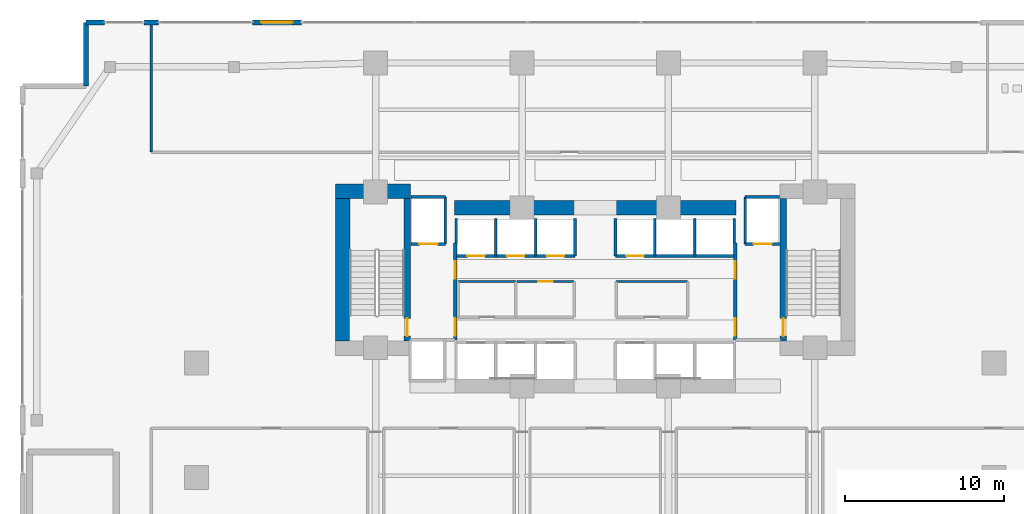
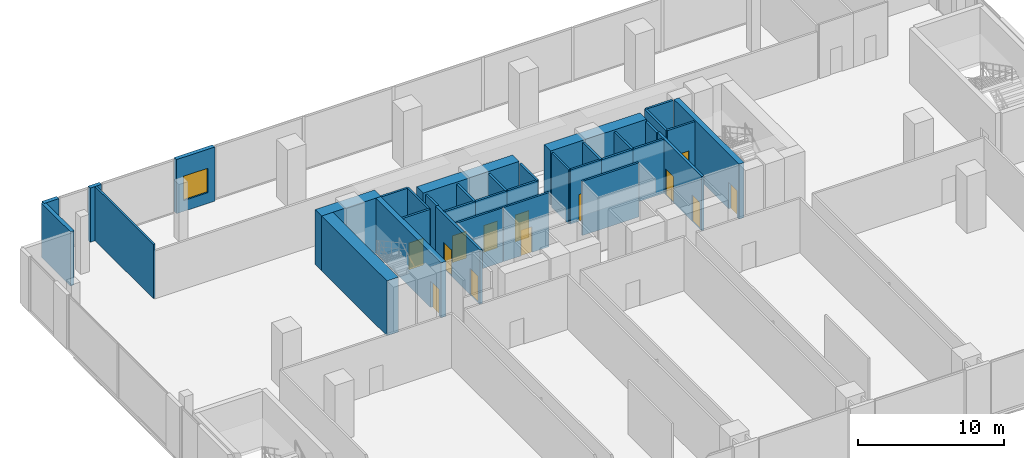
# One storey, part 27 of 33: 36 walls, 13 doors, 1 window, 14 openings.
"""IFC4 building model written with IfcOpenShell, lengths in metres."""

from ifc_helpers import new_model, si_unit, direction, frame, frame_2d, origin, place, context, subcontext, project, spatial, rectangle, extrude, material, layer, layer_set, type_object, element, fill, save


model = new_model("IFC4")

# Units and contexts
model_context = context("Model", 3, precision=1e-05, world=origin(), true_north=direction((0.0, 1.0)))
body_context = subcontext(model_context, "Body", "Model", "MODEL_VIEW")
ifc_project = project(units=[si_unit("LENGTHUNIT", "METRE"), si_unit("AREAUNIT", "SQUARE_METRE"), si_unit("VOLUMEUNIT", "CUBIC_METRE"), si_unit("PLANEANGLEUNIT", "RADIAN"), si_unit("MASSUNIT", "GRAM", prefix="KILO")], contexts=[model_context])

# Site, building, storey
site_placement = place(None, origin())
site = spatial("IfcSite", under=ifc_project, at=site_placement, CompositionType="ELEMENT")
building_placement = place(site_placement, origin())
building = spatial("IfcBuilding", under=site, at=building_placement, Name="Zuhayl Quay Hotel", CompositionType="ELEMENT")
storey_placement = place(building_placement, frame((0.0, 0.0, 18.0)))
storey = spatial("IfcBuildingStorey", under=building, at=storey_placement, Name="L03", CompositionType="ELEMENT", Elevation=18.0)

# Walls
ifc_material_1 = material(Name="Concrete C70/85", Category="concrete")
ifc_layer_1 = layer(ifc_material_1, 0.89990234375, Name="Concrete C70/85", Category="concrete")
ifc_layer_set_1 = layer_set([ifc_layer_1], Name="Concrete C70/85")
wall_type_1 = type_object("IfcWallType", Name="WL_CORE_900", PredefinedType="SHEAR", material=ifc_layer_set_1)
wall_1_placement = place(storey_placement, frame((-16.31005859375, 14.3798828125, 0.0), z_axis=(0.0, 0.0, 1.0), x_axis=(1.0, 0.0, 0.0)))
element("IfcWall", 1, at=wall_1_placement, inside=storey, type_object=wall_type_1, Name="L03 Core Shear Wall CW_NW", PredefinedType="SHEAR", context=body_context, shape_type="SweptSolid", body=[
    extrude(rectangle(XDim=4.7099609375, YDim=0.89990234375, at=frame_2d((2.35498046875, 0.0))), origin(), (0.0, 0.0, 1.0), 4.610107421875),
])
wall_2_placement = place(storey_placement, frame((-15.860107421875, 4.969970703125, 0.0), z_axis=(0.0, 0.0, 1.0), x_axis=(0.0, 1.0, 0.0)))
element("IfcWall", 2, at=wall_2_placement, inside=storey, type_object=wall_type_1, Name="L03 Core Shear Wall CW_W", PredefinedType="SHEAR", context=body_context, shape_type="SweptSolid", body=[
    extrude(rectangle(XDim=8.9599609375, YDim=0.89990234375, at=frame_2d((4.47998046875, 0.0))), origin(), (0.0, 0.0, 1.0), 4.610107421875),
])
for number, where, z_axis, x_axis, name in (
    (3, (-8.85009765625, 13.35009765625, 0.0), (0.0, 0.0, 1.0), (1.0, 0.0, 0.0), "L03 Core Shear Wall CW_NC_W"),
    (4, (1.25, 13.35009765625, 0.0), (0.0, 0.0, 1.0), (1.0, 0.0, 0.0), "L03 Core Shear Wall CW_NC_E"),
):
    element("IfcWall", number, at=place(storey_placement, frame(where, z_axis=z_axis, x_axis=x_axis)), inside=storey, type_object=wall_type_1, Name=name, PredefinedType="SHEAR", context=body_context, shape_type="SweptSolid", body=[
        extrude(rectangle(XDim=7.60009765625, YDim=0.89990234375, at=frame_2d((3.800048828125, 0.0))), origin(), (0.0, 0.0, 1.0), 4.5400390625),
    ])
ifc_material_2 = material(Name="Precast concrete C45/55", Category="concrete")
ifc_layer_2 = layer(ifc_material_2, 0.300048828125, Name="Precast concrete C45/55", Category="concrete")
ifc_layer_set_2 = layer_set([ifc_layer_2], Name="Precast concrete C45/55")
wall_type_2 = type_object("IfcWallType", Name="WL_EXT_300", PredefinedType="STANDARD", material=ifc_layer_set_2)
wall_3_placement = place(storey_placement, frame((-32.0, 21.0, 0.0), z_axis=(0.0, 0.0, 1.0), x_axis=(0.0, 1.0, 0.0)))
element("IfcWall", 5, at=wall_3_placement, inside=storey, type_object=wall_type_2, Name="L03 Exterior Precast Wall ENV_L03_EW04", PredefinedType="STANDARD", context=body_context, shape_type="SweptSolid", body=[
    extrude(rectangle(XDim=4.0, YDim=0.300048828125, at=frame_2d((2.0, 0.0))), origin(), (0.0, 0.0, 1.0), 4.5400390625),
])
wall_4_placement = place(storey_placement, frame((-32.0, 25.0, 0.0), z_axis=(0.0, 0.0, 1.0), x_axis=(1.0, 0.0, 0.0)))
element("IfcWall", 6, at=wall_4_placement, inside=storey, type_object=wall_type_2, Name="L03 Exterior Precast Wall ENV_L03_E05_EW1", PredefinedType="STANDARD", context=body_context, shape_type="SweptSolid", body=[
    extrude(rectangle(XDim=1.14990234375, YDim=0.300048828125, at=frame_2d((0.574951171875, 0.0))), origin(), (0.0, 0.0, 1.0), 4.5400390625),
])
wall_5_placement = place(storey_placement, frame((-28.35009765625, 25.0, 0.0), z_axis=(0.0, 0.0, 1.0), x_axis=(1.0, 0.0, 0.0)))
element("IfcWall", 7, at=wall_5_placement, inside=storey, type_object=wall_type_2, Name="L03 Exterior Precast Wall ENV_L03_E05_EW2", PredefinedType="STANDARD", context=body_context, shape_type="SweptSolid", body=[
    extrude(rectangle(XDim=0.900146484375, YDim=0.300048828125, at=frame_2d((0.4501953125, 0.0))), origin(), (0.0, 0.0, 1.0), 4.5400390625),
])

# Wall, opening, window
wall_6_placement = place(storey_placement, frame((-21.52490234375, 25.0, 0.0), z_axis=(0.0, 0.0, 1.0), x_axis=(1.0, 0.0, 0.0)))
wall_6 = element("IfcWall", 8, at=wall_6_placement, inside=storey, type_object=wall_type_2, Name="L03 Exterior Precast Wall ENV_L03_E05_EW3", PredefinedType="STANDARD", context=body_context, shape_type="SweptSolid", body=[
    extrude(rectangle(XDim=3.0498046875, YDim=0.300048828125, at=frame_2d((1.52490234375, 0.0))), origin(), (0.0, 0.0, 1.0), 4.5400390625),
])
opening_1_placement = place(wall_6_placement, frame((0.550048828125, 0.0, 0.89990234375)))
opening_1 = element("IfcOpeningElement", 9, at=opening_1_placement, cuts=wall_6, Name="Opening W03", PredefinedType="OPENING", context=body_context, shape_type="SweptSolid", body=[
    extrude(rectangle(XDim=1.949951171875, YDim=2.050048828125, at=frame_2d((0.97509765625, 1.02490234375))), frame((0.0, 0.159912109375, 0.0), z_axis=(0.0, -1.0, 0.0), x_axis=(1.0, 0.0, 0.0)), (0.0, 0.0, 1.0), 0.320068359375),
])
ifc_material_3 = material(Name="Low-E Insulated Clear Vision Glass", Category="glass")
window_type = type_object("IfcWindowType", Name="WN_POD_1950", PartitioningType="DOUBLE_PANEL_VERTICAL", PredefinedType="WINDOW", material=ifc_material_3)
window_placement = place(opening_1_placement, origin())
window = element("IfcWindow", 10, at=window_placement, inside=storey, type_object=window_type, Name="L03 Seaward Salon Vision Window", OverallHeight=2.050048828125, OverallWidth=1.949951171875, PartitioningType="SINGLE_PANEL", PredefinedType="WINDOW", context=body_context, shape_type="SweptSolid", body=[
    extrude(rectangle(XDim=1.949951171875, YDim=2.050048828125, at=frame_2d((0.97509765625, 1.02490234375))), frame((0.0, 0.030029296875, 0.0), z_axis=(0.0, -1.0, 0.0), x_axis=(1.0, 0.0, 0.0)), (0.0, 0.0, 1.0), 0.06005859375),
])
fill(opening_1, window)

# Wall, opening, door
ifc_material_4 = material(Name="Acoustic Gypsum Partition STC-58")
ifc_layer_3 = layer(ifc_material_4, 0.14990234375, Name="Acoustic Gypsum Partition STC-58")
ifc_layer_set_3 = layer_set([ifc_layer_3], Name="Acoustic Gypsum Partition STC-58")
wall_type_3 = type_object("IfcWallType", Name="WL_PART_150", PredefinedType="PARTITIONING", material=ifc_layer_set_3)
wall_7_placement = place(storey_placement, frame((-4.929931640625, 8.719970703125, 0.0), z_axis=(0.0, 0.0, 1.0), x_axis=(1.0, 0.0, 0.0)))
wall_7 = element("IfcWall", 11, at=wall_7_placement, inside=storey, type_object=wall_type_3, Name="L03 Partition IW_L03_CORE_BM_N", PredefinedType="PARTITIONING", context=body_context, shape_type="SweptSolid", body=[
    extrude(rectangle(XDim=3.60986328125, YDim=0.14990234375, at=frame_2d((1.804931640625, 0.0))), origin(), (0.0, 0.0, 1.0), 4.5400390625),
])
opening_2_placement = place(wall_7_placement, frame((1.35498046875, 0.0, 0.0)))
opening_2 = element("IfcOpeningElement", 12, at=opening_2_placement, cuts=wall_7, Name="Opening D06", PredefinedType="OPENING", context=body_context, shape_type="SweptSolid", body=[
    extrude(rectangle(XDim=0.89990234375, YDim=2.14990234375, at=frame_2d((0.449951171875, 1.074951171875))), frame((0.0, 0.0849609375, 0.0), z_axis=(0.0, -1.0, 0.0), x_axis=(1.0, 0.0, 0.0)), (0.0, 0.0, 1.0), 0.169921875),
])
ifc_material_5 = material(Name="Steel ASTM A992 Grade 50", Category="steel")
door_type_1 = type_object("IfcDoorType", Name="DR_INT_900", OperationType="NOTDEFINED", PredefinedType="DOOR", material=ifc_material_5)
door_1_placement = place(opening_2_placement, origin())
door_1 = element("IfcDoor", 13, at=door_1_placement, inside=storey, type_object=door_type_1, Name="L03 Telecom and BMS Closet Door", OperationType="SINGLE_SWING_LEFT", OverallHeight=2.14990234375, OverallWidth=0.89990234375, PredefinedType="DOOR", context=body_context, shape_type="SweptSolid", body=[
    extrude(rectangle(XDim=0.89990234375, YDim=2.14990234375, at=frame_2d((0.449951171875, 1.074951171875))), frame((0.0, 0.02490234375, 0.0), z_axis=(0.0, -1.0, 0.0), x_axis=(1.0, 0.0, 0.0)), (0.0, 0.0, 1.0), 0.050048828125),
])
fill(opening_2, door_1)

# Walls
wall_8_placement = place(storey_placement, frame((-8.610107421875, 8.719970703125, 0.0), z_axis=(0.0, 0.0, 1.0), x_axis=(1.0, 0.0, 0.0)))
element("IfcWall", 14, at=wall_8_placement, inside=storey, type_object=wall_type_3, Name="L03 Partition IW_L03_CORE_SW_N", PredefinedType="PARTITIONING", context=body_context, shape_type="SweptSolid", body=[
    extrude(rectangle(XDim=3.6201171875, YDim=0.14990234375, at=frame_2d((1.81005859375, 0.0))), origin(), (0.0, 0.0, 1.0), 4.5400390625),
])
wall_9_placement = place(storey_placement, frame((1.320068359375, 8.719970703125, 0.0), z_axis=(0.0, 0.0, 1.0), x_axis=(1.0, 0.0, 0.0)))
element("IfcWall", 15, at=wall_9_placement, inside=storey, type_object=wall_type_3, Name="L03 Partition IW_L03_CORE_PN_N", PredefinedType="PARTITIONING", context=body_context, shape_type="SweptSolid", body=[
    extrude(rectangle(XDim=4.489990234375, YDim=0.14990234375, at=frame_2d((2.2451171875, 0.0))), origin(), (0.0, 0.0, 1.0), 4.5400390625),
])
wall_10_placement = place(storey_placement, frame((-27.89990234375, 16.85009765625, 0.0), z_axis=(0.0, 0.0, 1.0), x_axis=(0.0, 1.0, 0.0)))
element("IfcWall", 16, at=wall_10_placement, inside=storey, type_object=wall_type_3, Name="L03 Partition IW_L03_PRE_FUNC_N_W", PredefinedType="PARTITIONING", context=body_context, shape_type="SweptSolid", body=[
    extrude(rectangle(XDim=8.08984375, YDim=0.14990234375, at=frame_2d((4.044921875, 0.0))), origin(), (0.0, 0.0, 1.0), 4.5400390625),
])

# Wall, opening, door
ifc_material_6 = material(Name="Gypsum Fireboard Assembly EI-90")
ifc_layer_4 = layer(ifc_material_6, 0.1650390625, Name="Gypsum Fireboard Assembly EI-90")
ifc_layer_set_4 = layer_set([ifc_layer_4], Name="Gypsum Fireboard Assembly EI-90")
wall_type_4 = type_object("IfcWallType", Name="WL_PART_SHAFT_160", PredefinedType="PARTITIONING", material=ifc_layer_set_4)
wall_11_placement = place(storey_placement, frame((-11.580078125, 11.070068359375, 0.0), z_axis=(0.0, 0.0, 1.0), x_axis=(1.0, 0.0, 0.0)))
wall_11 = element("IfcWall", 17, at=wall_11_placement, inside=storey, type_object=wall_type_4, Name="L03 Partition IW_L03_SH_FL1_F", PredefinedType="PARTITIONING", context=body_context, shape_type="SweptSolid", body=[
    extrude(rectangle(XDim=2.16015625, YDim=0.1650390625, at=frame_2d((1.080078125, 0.0))), origin(), (0.0, 0.0, 1.0), 4.5400390625),
])
opening_3_placement = place(wall_11_placement, frame((0.530029296875, 0.0, 0.0)))
opening_3 = element("IfcOpeningElement", 18, at=opening_3_placement, cuts=wall_11, Name="Opening LD2", PredefinedType="OPENING", context=body_context, shape_type="SweptSolid", body=[
    extrude(rectangle(XDim=1.14990234375, YDim=2.25, at=frame_2d((0.574951171875, 1.125))), frame((0.0, 0.092529296875, 0.0), z_axis=(0.0, -1.0, 0.0), x_axis=(1.0, 0.0, 0.0)), (0.0, 0.0, 1.0), 0.18505859375),
])
ifc_material_7 = material(Name="Brushed Stainless Steel", Category="steel")
door_type_2 = type_object("IfcDoorType", Name="DR_LIFT_FF_1100", OperationType="SLIDING_TO_LEFT", PredefinedType="DOOR", material=ifc_material_7)
door_2_placement = place(opening_3_placement, origin())
door_2 = element("IfcDoor", 19, at=door_2_placement, inside=storey, type_object=door_type_2, Name="L03 Lift FL1 Sliding Landing Door", OperationType="SLIDING_TO_LEFT", OverallHeight=2.25, OverallWidth=1.14990234375, PredefinedType="DOOR", context=body_context, shape_type="SweptSolid", body=[
    extrude(rectangle(XDim=1.14990234375, YDim=2.25, at=frame_2d((0.574951171875, 1.125))), frame((0.0, 0.02490234375, 0.0), z_axis=(0.0, -1.0, 0.0), x_axis=(1.0, 0.0, 0.0)), (0.0, 0.0, 1.0), 0.050048828125),
])
fill(opening_3, door_2)

wall_12_placement = place(storey_placement, frame((9.419921875, 11.070068359375, 0.0), z_axis=(0.0, 0.0, 1.0), x_axis=(1.0, 0.0, 0.0)))
wall_12 = element("IfcWall", 20, at=wall_12_placement, inside=storey, type_object=wall_type_4, Name="L03 Partition IW_L03_SH_FL2_F", PredefinedType="PARTITIONING", context=body_context, shape_type="SweptSolid", body=[
    extrude(rectangle(XDim=2.16015625, YDim=0.1650390625, at=frame_2d((1.080078125, 0.0))), origin(), (0.0, 0.0, 1.0), 4.5400390625),
])
opening_4_placement = place(wall_12_placement, frame((0.530029296875, 0.0, 0.0)))
opening_4 = element("IfcOpeningElement", 21, at=opening_4_placement, cuts=wall_12, Name="Opening LD2", PredefinedType="OPENING", context=body_context, shape_type="SweptSolid", body=[
    extrude(rectangle(XDim=1.14990234375, YDim=2.25, at=frame_2d((0.574951171875, 1.125))), frame((0.0, 0.092529296875, 0.0), z_axis=(0.0, -1.0, 0.0), x_axis=(1.0, 0.0, 0.0)), (0.0, 0.0, 1.0), 0.18505859375),
])
door_3_placement = place(opening_4_placement, origin())
door_3 = element("IfcDoor", 22, at=door_3_placement, inside=storey, type_object=door_type_2, Name="L03 Lift FL2 Sliding Landing Door", OperationType="SLIDING_TO_LEFT", OverallHeight=2.25, OverallWidth=1.14990234375, PredefinedType="DOOR", context=body_context, shape_type="SweptSolid", body=[
    extrude(rectangle(XDim=1.14990234375, YDim=2.25, at=frame_2d((0.574951171875, 1.125))), frame((0.0, 0.02490234375, 0.0), z_axis=(0.0, -1.0, 0.0), x_axis=(1.0, 0.0, 0.0)), (0.0, 0.0, 1.0), 0.050048828125),
])
fill(opening_4, door_3)

wall_13_placement = place(storey_placement, frame((-8.72998046875, 10.320068359375, 0.0), z_axis=(0.0, 0.0, 1.0), x_axis=(1.0, 0.0, 0.0)))
wall_13 = element("IfcWall", 23, at=wall_13_placement, inside=storey, type_object=wall_type_4, Name="L03 Partition IW_L03_SH_LP3_F", PredefinedType="PARTITIONING", context=body_context, shape_type="SweptSolid", body=[
    extrude(rectangle(XDim=2.47998046875, YDim=0.1650390625, at=frame_2d((1.239990234375, 0.0))), origin(), (0.0, 0.0, 1.0), 4.5400390625),
])
opening_5_placement = place(wall_13_placement, frame((0.68994140625, 0.0, 0.0)))
opening_5 = element("IfcOpeningElement", 24, at=opening_5_placement, cuts=wall_13, Name="Opening LD1", PredefinedType="OPENING", context=body_context, shape_type="SweptSolid", body=[
    extrude(rectangle(XDim=1.10009765625, YDim=2.25, at=frame_2d((0.550048828125, 1.125))), frame((0.0, 0.092529296875, 0.0), z_axis=(0.0, -1.0, 0.0), x_axis=(1.0, 0.0, 0.0)), (0.0, 0.0, 1.0), 0.18505859375),
])
door_type_3 = type_object("IfcDoorType", Name="DR_LIFT_PASS_1100", OperationType="SLIDING_TO_LEFT", PredefinedType="DOOR", material=ifc_material_7)
door_4_placement = place(opening_5_placement, origin())
door_4 = element("IfcDoor", 25, at=door_4_placement, inside=storey, type_object=door_type_3, Name="L03 Lift LP3 Sliding Landing Door", OperationType="SLIDING_TO_LEFT", OverallHeight=2.25, OverallWidth=1.10009765625, PredefinedType="DOOR", context=body_context, shape_type="SweptSolid", body=[
    extrude(rectangle(XDim=1.10009765625, YDim=2.25, at=frame_2d((0.550048828125, 1.125))), frame((0.0, 0.02490234375, 0.0), z_axis=(0.0, -1.0, 0.0), x_axis=(1.0, 0.0, 0.0)), (0.0, 0.0, 1.0), 0.050048828125),
])
fill(opening_5, door_4)

wall_14_placement = place(storey_placement, frame((-6.25, 10.320068359375, 0.0), z_axis=(0.0, 0.0, 1.0), x_axis=(1.0, 0.0, 0.0)))
wall_14 = element("IfcWall", 26, at=wall_14_placement, inside=storey, type_object=wall_type_4, Name="L03 Partition IW_L03_SH_LP4_F", PredefinedType="PARTITIONING", context=body_context, shape_type="SweptSolid", body=[
    extrude(rectangle(XDim=2.5, YDim=0.1650390625, at=frame_2d((1.25, 0.0))), origin(), (0.0, 0.0, 1.0), 4.5400390625),
])
opening_6_placement = place(wall_14_placement, frame((0.699951171875, 0.0, 0.0)))
opening_6 = element("IfcOpeningElement", 27, at=opening_6_placement, cuts=wall_14, Name="Opening LD1", PredefinedType="OPENING", context=body_context, shape_type="SweptSolid", body=[
    extrude(rectangle(XDim=1.10009765625, YDim=2.25, at=frame_2d((0.550048828125, 1.125))), frame((0.0, 0.092529296875, 0.0), z_axis=(0.0, -1.0, 0.0), x_axis=(1.0, 0.0, 0.0)), (0.0, 0.0, 1.0), 0.18505859375),
])
door_5_placement = place(opening_6_placement, origin())
door_5 = element("IfcDoor", 28, at=door_5_placement, inside=storey, type_object=door_type_3, Name="L03 Lift LP4 Sliding Landing Door", OperationType="SLIDING_TO_LEFT", OverallHeight=2.25, OverallWidth=1.10009765625, PredefinedType="DOOR", context=body_context, shape_type="SweptSolid", body=[
    extrude(rectangle(XDim=1.10009765625, YDim=2.25, at=frame_2d((0.550048828125, 1.125))), frame((0.0, 0.02490234375, 0.0), z_axis=(0.0, -1.0, 0.0), x_axis=(1.0, 0.0, 0.0)), (0.0, 0.0, 1.0), 0.050048828125),
])
fill(opening_6, door_5)

wall_15_placement = place(storey_placement, frame((-3.75, 10.320068359375, 0.0), z_axis=(0.0, 0.0, 1.0), x_axis=(1.0, 0.0, 0.0)))
wall_15 = element("IfcWall", 29, at=wall_15_placement, inside=storey, type_object=wall_type_4, Name="L03 Partition IW_L03_SH_MP3_F", PredefinedType="PARTITIONING", context=body_context, shape_type="SweptSolid", body=[
    extrude(rectangle(XDim=2.47998046875, YDim=0.1650390625, at=frame_2d((1.239990234375, 0.0))), origin(), (0.0, 0.0, 1.0), 4.5400390625),
])
opening_7_placement = place(wall_15_placement, frame((0.68994140625, 0.0, 0.0)))
opening_7 = element("IfcOpeningElement", 30, at=opening_7_placement, cuts=wall_15, Name="Opening LD1", PredefinedType="OPENING", context=body_context, shape_type="SweptSolid", body=[
    extrude(rectangle(XDim=1.10009765625, YDim=2.25, at=frame_2d((0.550048828125, 1.125))), frame((0.0, 0.092529296875, 0.0), z_axis=(0.0, -1.0, 0.0), x_axis=(1.0, 0.0, 0.0)), (0.0, 0.0, 1.0), 0.18505859375),
])
door_6_placement = place(opening_7_placement, origin())
door_6 = element("IfcDoor", 31, at=door_6_placement, inside=storey, type_object=door_type_3, Name="L03 Lift MP3 Sliding Landing Door", OperationType="SLIDING_TO_LEFT", OverallHeight=2.25, OverallWidth=1.10009765625, PredefinedType="DOOR", context=body_context, shape_type="SweptSolid", body=[
    extrude(rectangle(XDim=1.10009765625, YDim=2.25, at=frame_2d((0.550048828125, 1.125))), frame((0.0, 0.02490234375, 0.0), z_axis=(0.0, -1.0, 0.0), x_axis=(1.0, 0.0, 0.0)), (0.0, 0.0, 1.0), 0.050048828125),
])
fill(opening_7, door_6)

wall_16_placement = place(storey_placement, frame((1.27001953125, 10.320068359375, 0.0), z_axis=(0.0, 0.0, 1.0), x_axis=(1.0, 0.0, 0.0)))
wall_16 = element("IfcWall", 32, at=wall_16_placement, inside=storey, type_object=wall_type_4, Name="L03 Partition IW_L03_SH_MP4_F", PredefinedType="PARTITIONING", context=body_context, shape_type="SweptSolid", body=[
    extrude(rectangle(XDim=2.47998046875, YDim=0.1650390625, at=frame_2d((1.239990234375, 0.0))), origin(), (0.0, 0.0, 1.0), 4.5400390625),
])
opening_8_placement = place(wall_16_placement, frame((0.68994140625, 0.0, 0.0)))
opening_8 = element("IfcOpeningElement", 33, at=opening_8_placement, cuts=wall_16, Name="Opening LD1", PredefinedType="OPENING", context=body_context, shape_type="SweptSolid", body=[
    extrude(rectangle(XDim=1.10009765625, YDim=2.25, at=frame_2d((0.550048828125, 1.125))), frame((0.0, 0.092529296875, 0.0), z_axis=(0.0, -1.0, 0.0), x_axis=(1.0, 0.0, 0.0)), (0.0, 0.0, 1.0), 0.18505859375),
])
door_7_placement = place(opening_8_placement, origin())
door_7 = element("IfcDoor", 34, at=door_7_placement, inside=storey, type_object=door_type_3, Name="L03 Lift MP4 Sliding Landing Door", OperationType="SLIDING_TO_LEFT", OverallHeight=2.25, OverallWidth=1.10009765625, PredefinedType="DOOR", context=body_context, shape_type="SweptSolid", body=[
    extrude(rectangle(XDim=1.10009765625, YDim=2.25, at=frame_2d((0.550048828125, 1.125))), frame((0.0, 0.02490234375, 0.0), z_axis=(0.0, -1.0, 0.0), x_axis=(1.0, 0.0, 0.0)), (0.0, 0.0, 1.0), 0.050048828125),
])
fill(opening_8, door_7)

# Walls
wall_17_placement = place(storey_placement, frame((-9.419921875, 11.070068359375, 0.0), z_axis=(0.0, 0.0, 1.0), x_axis=(0.0, 1.0, 0.0)))
element("IfcWall", 35, at=wall_17_placement, inside=storey, type_object=wall_type_4, Name="L03 Partition IW_L03_SH_FL1_E", PredefinedType="PARTITIONING", context=body_context, shape_type="SweptSolid", body=[
    extrude(rectangle(XDim=2.9599609375, YDim=0.1650390625, at=frame_2d((1.47998046875, 0.0))), origin(), (0.0, 0.0, 1.0), 4.5400390625),
])
wall_18_placement = place(storey_placement, frame((-11.580078125, 14.030029296875, 0.0), z_axis=(0.0, 0.0, 1.0), x_axis=(1.0, 0.0, 0.0)))
element("IfcWall", 36, at=wall_18_placement, inside=storey, type_object=wall_type_4, Name="L03 Partition IW_L03_SH_FL1_B", PredefinedType="PARTITIONING", context=body_context, shape_type="SweptSolid", body=[
    extrude(rectangle(XDim=2.16015625, YDim=0.1650390625, at=frame_2d((1.080078125, 0.0))), origin(), (0.0, 0.0, 1.0), 4.5400390625),
])
wall_19_placement = place(storey_placement, frame((9.419921875, 11.070068359375, 0.0), z_axis=(0.0, 0.0, 1.0), x_axis=(0.0, 1.0, 0.0)))
element("IfcWall", 37, at=wall_19_placement, inside=storey, type_object=wall_type_4, Name="L03 Partition IW_L03_SH_FL2_W", PredefinedType="PARTITIONING", context=body_context, shape_type="SweptSolid", body=[
    extrude(rectangle(XDim=2.9599609375, YDim=0.1650390625, at=frame_2d((1.47998046875, 0.0))), origin(), (0.0, 0.0, 1.0), 4.5400390625),
])
wall_20_placement = place(storey_placement, frame((9.419921875, 14.030029296875, 0.0), z_axis=(0.0, 0.0, 1.0), x_axis=(1.0, 0.0, 0.0)))
element("IfcWall", 38, at=wall_20_placement, inside=storey, type_object=wall_type_4, Name="L03 Partition IW_L03_SH_FL2_B", PredefinedType="PARTITIONING", context=body_context, shape_type="SweptSolid", body=[
    extrude(rectangle(XDim=2.16015625, YDim=0.1650390625, at=frame_2d((1.080078125, 0.0))), origin(), (0.0, 0.0, 1.0), 4.5400390625),
])
wall_21_placement = place(storey_placement, frame((-8.72998046875, 11.14990234375, 0.0), z_axis=(0.0, 0.0, 1.0), x_axis=(0.0, 1.0, 0.0)))
element("IfcWall", 39, at=wall_21_placement, inside=storey, type_object=wall_type_4, Name="L03 Partition IW_L03_SH_LP3_W", PredefinedType="PARTITIONING", context=body_context, shape_type="SweptSolid", body=[
    extrude(rectangle(XDim=1.530029296875, YDim=0.1650390625, at=frame_2d((0.76513671875, 0.0))), origin(), (0.0, 0.0, 1.0), 4.5400390625),
])
for number, where, z_axis, x_axis, name in (
    (40, (-6.25, 10.320068359375, 0.0), (0.0, 0.0, 1.0), (0.0, 1.0, 0.0), "L03 Partition IW_L03_SH_LP3_E"),
    (41, (-3.75, 10.320068359375, 0.0), (0.0, 0.0, 1.0), (0.0, 1.0, 0.0), "L03 Partition IW_L03_SH_LP4_E"),
    (42, (-1.27001953125, 10.320068359375, 0.0), (0.0, 0.0, 1.0), (0.0, 1.0, 0.0), "L03 Partition IW_L03_SH_MP3_E"),
    (43, (1.27001953125, 10.320068359375, 0.0), (0.0, 0.0, 1.0), (0.0, 1.0, 0.0), "L03 Partition IW_L03_SH_MP4_W"),
    (44, (3.75, 10.320068359375, 0.0), (0.0, 0.0, 1.0), (0.0, 1.0, 0.0), "L03 Partition IW_L03_SH_MP4_E"),
):
    element("IfcWall", number, at=place(storey_placement, frame(where, z_axis=z_axis, x_axis=x_axis)), inside=storey, type_object=wall_type_4, Name=name, PredefinedType="PARTITIONING", context=body_context, shape_type="SweptSolid", body=[
        extrude(rectangle(XDim=2.35986328125, YDim=0.1650390625, at=frame_2d((1.179931640625, 0.0))), origin(), (0.0, 0.0, 1.0), 4.5400390625),
    ])
wall_22_placement = place(storey_placement, frame((3.75, 10.320068359375, 0.0), z_axis=(0.0, 0.0, 1.0), x_axis=(1.0, 0.0, 0.0)))
element("IfcWall", 45, at=wall_22_placement, inside=storey, type_object=wall_type_4, Name="L03 Partition IW_L03_SH_HP3_F", PredefinedType="PARTITIONING", context=body_context, shape_type="SweptSolid", body=[
    extrude(rectangle(XDim=2.5, YDim=0.1650390625, at=frame_2d((1.25, 0.0))), origin(), (0.0, 0.0, 1.0), 4.5400390625),
])
wall_23_placement = place(storey_placement, frame((6.25, 10.320068359375, 0.0), z_axis=(0.0, 0.0, 1.0), x_axis=(0.0, 1.0, 0.0)))
element("IfcWall", 46, at=wall_23_placement, inside=storey, type_object=wall_type_4, Name="L03 Partition IW_L03_SH_HP3_E", PredefinedType="PARTITIONING", context=body_context, shape_type="SweptSolid", body=[
    extrude(rectangle(XDim=2.35986328125, YDim=0.1650390625, at=frame_2d((1.179931640625, 0.0))), origin(), (0.0, 0.0, 1.0), 4.5400390625),
])
wall_24_placement = place(storey_placement, frame((6.25, 10.320068359375, 0.0), z_axis=(0.0, 0.0, 1.0), x_axis=(1.0, 0.0, 0.0)))
element("IfcWall", 47, at=wall_24_placement, inside=storey, type_object=wall_type_4, Name="L03 Partition IW_L03_SH_HP4_F", PredefinedType="PARTITIONING", context=body_context, shape_type="SweptSolid", body=[
    extrude(rectangle(XDim=2.47998046875, YDim=0.1650390625, at=frame_2d((1.239990234375, 0.0))), origin(), (0.0, 0.0, 1.0), 4.5400390625),
])
wall_25_placement = place(storey_placement, frame((8.72998046875, 11.14990234375, 0.0), z_axis=(0.0, 0.0, 1.0), x_axis=(0.0, 1.0, 0.0)))
element("IfcWall", 48, at=wall_25_placement, inside=storey, type_object=wall_type_4, Name="L03 Partition IW_L03_SH_HP4_E", PredefinedType="PARTITIONING", context=body_context, shape_type="SweptSolid", body=[
    extrude(rectangle(XDim=1.530029296875, YDim=0.1650390625, at=frame_2d((0.76513671875, 0.0))), origin(), (0.0, 0.0, 1.0), 4.5400390625),
])

# Wall, openings, doors
ifc_material_8 = material(Name="Gypsum Fireboard Assembly EI-120")
ifc_layer_5 = layer(ifc_material_8, 0.199951171875, Name="Gypsum Fireboard Assembly EI-120")
ifc_layer_set_5 = layer_set([ifc_layer_5], Name="Gypsum Fireboard Assembly EI-120")
wall_type_5 = type_object("IfcWallType", Name="WL_PART_SHAFT_200", PredefinedType="PARTITIONING", material=ifc_layer_set_5)
wall_26_placement = place(storey_placement, frame((-8.800048828125, 5.050048828125, 0.0), z_axis=(0.0, 0.0, 1.0), x_axis=(0.0, 1.0, 0.0)))
wall_26 = element("IfcWall", 49, at=wall_26_placement, inside=storey, type_object=wall_type_5, Name="L03 Partition IW_L03_FSAE_W_E", PredefinedType="PARTITIONING", context=body_context, shape_type="SweptSolid", body=[
    extrude(rectangle(XDim=6.099853515625, YDim=0.199951171875, at=frame_2d((3.0498046875, 0.0))), origin(), (0.0, 0.0, 1.0), 4.5400390625),
])
opening_9_placement = place(wall_26_placement, frame((0.25, 0.0, 0.0)))
opening_9 = element("IfcOpeningElement", 50, at=opening_9_placement, cuts=wall_26, Name="Opening D02", PredefinedType="OPENING", context=body_context, shape_type="SweptSolid", body=[
    extrude(rectangle(XDim=1.10009765625, YDim=2.199951171875, at=frame_2d((0.550048828125, 1.10009765625))), frame((0.0, 0.10986328125, 0.0), z_axis=(0.0, -1.0, 0.0), x_axis=(1.0, 0.0, 0.0)), (0.0, 0.0, 1.0), 0.219970703125),
])
opening_10_placement = place(wall_26_placement, frame((3.85009765625, 0.0, 0.0)))
opening_10 = element("IfcOpeningElement", 51, at=opening_10_placement, cuts=wall_26, Name="Opening D02", PredefinedType="OPENING", context=body_context, shape_type="SweptSolid", body=[
    extrude(rectangle(XDim=1.10009765625, YDim=2.199951171875, at=frame_2d((0.550048828125, 1.10009765625))), frame((0.0, 0.10986328125, 0.0), z_axis=(0.0, -1.0, 0.0), x_axis=(1.0, 0.0, 0.0)), (0.0, 0.0, 1.0), 0.219970703125),
])
door_type_4 = type_object("IfcDoorType", Name="DR_FIRE_90_1100", OperationType="NOTDEFINED", PredefinedType="DOOR", material=ifc_material_5)
door_8_placement = place(opening_9_placement, origin())
door_8 = element("IfcDoor", 52, at=door_8_placement, inside=storey, type_object=door_type_4, Name="L03 FSAE Lobby West South Entry Door", OperationType="SINGLE_SWING_RIGHT", OverallHeight=2.199951171875, OverallWidth=1.10009765625, PredefinedType="DOOR", context=body_context, shape_type="SweptSolid", body=[
    extrude(rectangle(XDim=1.10009765625, YDim=2.199951171875, at=frame_2d((0.550048828125, 1.10009765625))), frame((0.0, 0.02490234375, 0.0), z_axis=(0.0, -1.0, 0.0), x_axis=(1.0, 0.0, 0.0)), (0.0, 0.0, 1.0), 0.050048828125),
])
fill(opening_9, door_8)
door_9_placement = place(opening_10_placement, origin())
door_9 = element("IfcDoor", 53, at=door_9_placement, inside=storey, type_object=door_type_4, Name="L03 FSAE Lobby West North Entry Door", OperationType="SINGLE_SWING_LEFT", OverallHeight=2.199951171875, OverallWidth=1.10009765625, PredefinedType="DOOR", context=body_context, shape_type="SweptSolid", body=[
    extrude(rectangle(XDim=1.10009765625, YDim=2.199951171875, at=frame_2d((0.550048828125, 1.10009765625))), frame((0.0, 0.02490234375, 0.0), z_axis=(0.0, -1.0, 0.0), x_axis=(1.0, 0.0, 0.0)), (0.0, 0.0, 1.0), 0.050048828125),
])
fill(opening_10, door_9)

wall_27_placement = place(storey_placement, frame((8.800048828125, 11.14990234375, 0.0), z_axis=(0.0, 0.0, 1.0), x_axis=(0.0, -1.0, 0.0)))
wall_27 = element("IfcWall", 54, at=wall_27_placement, inside=storey, type_object=wall_type_5, Name="L03 Partition IW_L03_FSAE_E_W", PredefinedType="PARTITIONING", context=body_context, shape_type="SweptSolid", body=[
    extrude(rectangle(XDim=6.099853515625, YDim=0.199951171875, at=frame_2d((3.0498046875, 0.0))), origin(), (0.0, 0.0, 1.0), 4.5400390625),
])
opening_11_placement = place(wall_27_placement, frame((1.14990234375, 0.0, 0.0)))
opening_11 = element("IfcOpeningElement", 55, at=opening_11_placement, cuts=wall_27, Name="Opening D02", PredefinedType="OPENING", context=body_context, shape_type="SweptSolid", body=[
    extrude(rectangle(XDim=1.10009765625, YDim=2.199951171875, at=frame_2d((0.550048828125, 1.10009765625))), frame((0.0, 0.10986328125, 0.0), z_axis=(0.0, -1.0, 0.0), x_axis=(1.0, 0.0, 0.0)), (0.0, 0.0, 1.0), 0.219970703125),
])
opening_12_placement = place(wall_27_placement, frame((4.75, 0.0, 0.0)))
opening_12 = element("IfcOpeningElement", 56, at=opening_12_placement, cuts=wall_27, Name="Opening D02", PredefinedType="OPENING", context=body_context, shape_type="SweptSolid", body=[
    extrude(rectangle(XDim=1.10009765625, YDim=2.199951171875, at=frame_2d((0.550048828125, 1.10009765625))), frame((0.0, 0.10986328125, 0.0), z_axis=(0.0, -1.0, 0.0), x_axis=(1.0, 0.0, 0.0)), (0.0, 0.0, 1.0), 0.219970703125),
])
door_10_placement = place(opening_11_placement, origin())
door_10 = element("IfcDoor", 57, at=door_10_placement, inside=storey, type_object=door_type_4, Name="L03 FSAE Lobby East North Entry Door", OperationType="SINGLE_SWING_RIGHT", OverallHeight=2.199951171875, OverallWidth=1.10009765625, PredefinedType="DOOR", context=body_context, shape_type="SweptSolid", body=[
    extrude(rectangle(XDim=1.10009765625, YDim=2.199951171875, at=frame_2d((0.550048828125, 1.10009765625))), frame((0.0, 0.02490234375, 0.0), z_axis=(0.0, -1.0, 0.0), x_axis=(1.0, 0.0, 0.0)), (0.0, 0.0, 1.0), 0.050048828125),
])
fill(opening_11, door_10)
door_11_placement = place(opening_12_placement, origin())
door_11 = element("IfcDoor", 58, at=door_11_placement, inside=storey, type_object=door_type_4, Name="L03 FSAE Lobby East South Entry Door", OperationType="SINGLE_SWING_LEFT", OverallHeight=2.199951171875, OverallWidth=1.10009765625, PredefinedType="DOOR", context=body_context, shape_type="SweptSolid", body=[
    extrude(rectangle(XDim=1.10009765625, YDim=2.199951171875, at=frame_2d((0.550048828125, 1.10009765625))), frame((0.0, 0.02490234375, 0.0), z_axis=(0.0, -1.0, 0.0), x_axis=(1.0, 0.0, 0.0)), (0.0, 0.0, 1.0), 0.050048828125),
])
fill(opening_12, door_11)

# Wall, opening, door
ifc_material_9 = material(Name="Concrete C60/75", Category="concrete")
ifc_layer_6 = layer(ifc_material_9, 0.39990234375, Name="Concrete C60/75", Category="concrete")
ifc_layer_set_6 = layer_set([ifc_layer_6], Name="Concrete C60/75")
wall_type_6 = type_object("IfcWallType", Name="WL_STAIR_400", PredefinedType="SHEAR", material=ifc_layer_set_6)
wall_28_placement = place(storey_placement, frame((-11.820068359375, 4.969970703125, 0.0), z_axis=(0.0, 0.0, 1.0), x_axis=(0.0, 1.0, 0.0)))
wall_28 = element("IfcWall", 59, at=wall_28_placement, inside=storey, type_object=wall_type_6, Name="L03 Core Shear Wall SW_ST1", PredefinedType="SHEAR", context=body_context, shape_type="SweptSolid", body=[
    extrude(rectangle(XDim=8.9599609375, YDim=0.39990234375, at=frame_2d((4.47998046875, 0.0))), origin(), (0.0, 0.0, 1.0), 4.610107421875),
])
opening_13_placement = place(wall_28_placement, frame((0.31005859375, 0.0, 0.0)))
opening_13 = element("IfcOpeningElement", 60, at=opening_13_placement, cuts=wall_28, Name="Opening D01", PredefinedType="OPENING", context=body_context, shape_type="SweptSolid", body=[
    extrude(rectangle(XDim=1.1201171875, YDim=2.219970703125, at=frame_2d((0.56005859375, 1.10986328125))), frame((0.0, 0.2099609375, 0.0), z_axis=(0.0, -1.0, 0.0), x_axis=(1.0, 0.0, 0.0)), (0.0, 0.0, 1.0), 0.419921875),
])
door_type_5 = type_object("IfcDoorType", Name="DR_STAIR_90_1100", OperationType="NOTDEFINED", PredefinedType="DOOR", material=ifc_material_5)
door_12_placement = place(opening_13_placement, origin())
door_12 = element("IfcDoor", 61, at=door_12_placement, inside=storey, type_object=door_type_5, Name="L03 Smokeproof Exit Stair ST1 Door", OperationType="SINGLE_SWING_LEFT", OverallHeight=2.219970703125, OverallWidth=1.1201171875, PredefinedType="DOOR", context=body_context, shape_type="SweptSolid", body=[
    extrude(rectangle(XDim=1.1201171875, YDim=2.219970703125, at=frame_2d((0.56005859375, 1.10986328125))), frame((0.0, 0.02490234375, 0.0), z_axis=(0.0, -1.0, 0.0), x_axis=(1.0, 0.0, 0.0)), (0.0, 0.0, 1.0), 0.050048828125),
])
fill(opening_13, door_12)

wall_29_placement = place(storey_placement, frame((11.820068359375, 13.929931640625, 0.0), z_axis=(0.0, 0.0, 1.0), x_axis=(0.0, -1.0, 0.0)))
wall_29 = element("IfcWall", 62, at=wall_29_placement, inside=storey, type_object=wall_type_6, Name="L03 Core Shear Wall SW_ST2", PredefinedType="SHEAR", context=body_context, shape_type="SweptSolid", body=[
    extrude(rectangle(XDim=8.9599609375, YDim=0.39990234375, at=frame_2d((4.47998046875, 0.0))), origin(), (0.0, 0.0, 1.0), 4.610107421875),
])
opening_14_placement = place(wall_29_placement, frame((7.530029296875, 0.0, 0.0)))
opening_14 = element("IfcOpeningElement", 63, at=opening_14_placement, cuts=wall_29, Name="Opening D01", PredefinedType="OPENING", context=body_context, shape_type="SweptSolid", body=[
    extrude(rectangle(XDim=1.1201171875, YDim=2.219970703125, at=frame_2d((0.56005859375, 1.10986328125))), frame((0.0, 0.2099609375, 0.0), z_axis=(0.0, -1.0, 0.0), x_axis=(1.0, 0.0, 0.0)), (0.0, 0.0, 1.0), 0.419921875),
])
door_13_placement = place(opening_14_placement, origin())
door_13 = element("IfcDoor", 64, at=door_13_placement, inside=storey, type_object=door_type_5, Name="L03 Smokeproof Exit Stair ST2 Door", OperationType="SINGLE_SWING_RIGHT", OverallHeight=2.219970703125, OverallWidth=1.1201171875, PredefinedType="DOOR", context=body_context, shape_type="SweptSolid", body=[
    extrude(rectangle(XDim=1.1201171875, YDim=2.219970703125, at=frame_2d((0.56005859375, 1.10986328125))), frame((0.0, 0.02490234375, 0.0), z_axis=(0.0, -1.0, 0.0), x_axis=(1.0, 0.0, 0.0)), (0.0, 0.0, 1.0), 0.050048828125),
])
fill(opening_14, door_13)

save(model, "model.ifc")
